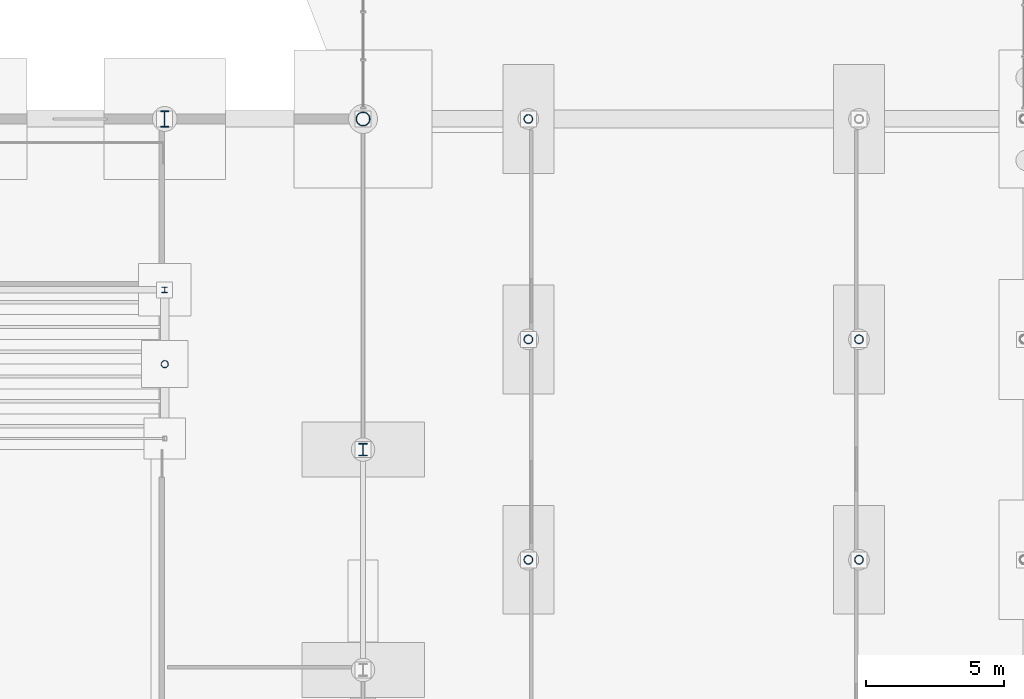
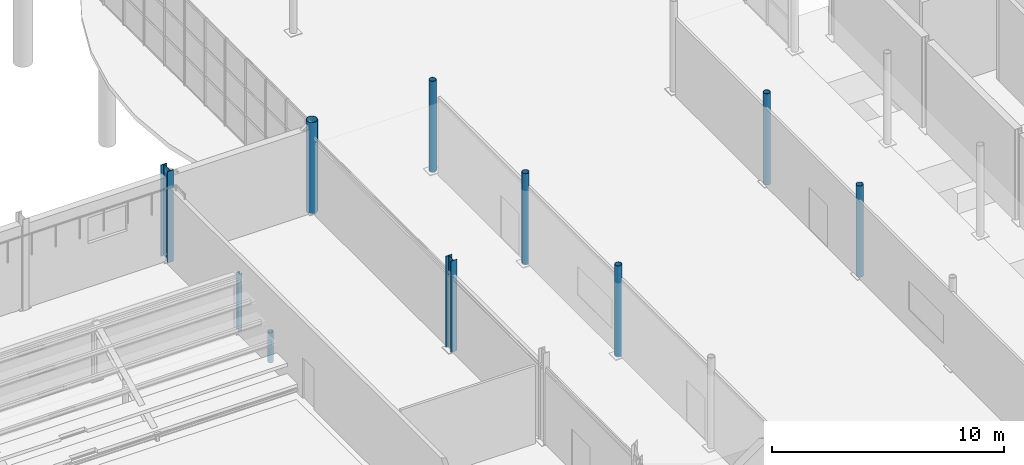
# One storey, part 14 of 101: 10 columns.
"""IFC4 building model written with IfcOpenShell, lengths in metres."""

from ifc_helpers import new_model, si_unit, derived_unit, direction, frame, origin, origin_2d, place, context, subcontext, project, spatial, hollow_circle, i_section, extrude, material, material_profile, profile_set, type_object, element, save


model = new_model("IFC4")

# Units and contexts
model_context = context("Model", 3, precision=1e-05, world=origin(), true_north=direction((0.0, 1.0)))
body_context = subcontext(model_context, "Body", "Model", "MODEL_VIEW")
ifc_project = project(units=[si_unit("LENGTHUNIT", "METRE"), si_unit("AREAUNIT", "SQUARE_METRE"), si_unit("VOLUMEUNIT", "CUBIC_METRE"), si_unit("PLANEANGLEUNIT", "RADIAN"), si_unit("MASSUNIT", "GRAM", prefix="KILO"), derived_unit("THERMALTRANSMITTANCEUNIT", [(si_unit("POWERUNIT", "WATT"), 1), (si_unit("LENGTHUNIT", "METRE"), -2), (si_unit("THERMODYNAMICTEMPERATUREUNIT", "KELVIN"), -1)])], contexts=[model_context])

# Site, building, storey
site_placement = place(None, origin())
site = spatial("IfcSite", under=ifc_project, at=site_placement, CompositionType="ELEMENT")
building_placement = place(site_placement, origin())
building = spatial("IfcBuilding", under=site, at=building_placement, Name="Keldorne Ridge Multi-Sports Centre", CompositionType="ELEMENT")
storey_placement = place(building_placement, origin())
storey = spatial("IfcBuildingStorey", under=building, at=storey_placement, Name="L00", CompositionType="ELEMENT", Elevation=0.0)

# Columns
ifc_material = material(Name="Steel S355", Category="steel")
ifc_material_profile_1 = material_profile(ifc_material, i_section(OverallWidth=0.300048828125, OverallDepth=0.60009765625, WebThickness=0.015380859375, FlangeThickness=0.030029296875, FilletRadius=0.027099609375, at=origin_2d()), Name="HEB 600")
ifc_profile_set_1 = profile_set([ifc_material_profile_1], Name="Steel S355")
column_type_1 = type_object("IfcColumnType", Name="COL-C-01", PredefinedType="COLUMN", material=ifc_profile_set_1)
column_1_placement = place(storey_placement, frame((70.800048828125, 54.0, 0.0), z_axis=(0.0, 0.0, 1.0), x_axis=(1.0, 0.0, 0.0)))
element("IfcColumn", 1, at=column_1_placement, inside=storey, type_object=column_type_1, Name="Structural column V1-HALL-N-10 on L00", PredefinedType="COLUMN", context=body_context, shape_type="SweptSolid", body=[
    extrude(i_section(OverallWidth=0.300048828125, OverallDepth=0.60009765625, WebThickness=0.015380859375, FlangeThickness=0.030029296875, FilletRadius=0.027099609375, at=origin_2d()), origin(), (0.0, 0.0, 1.0), 4.800048828125),
])
ifc_material_profile_2 = material_profile(ifc_material, hollow_circle(Radius=0.25390625, WallThickness=0.02001953125, at=origin_2d()), Name="CHS 508x20")
ifc_profile_set_2 = profile_set([ifc_material_profile_2], Name="Steel S355")
column_type_2 = type_object("IfcColumnType", Name="COL-C-02", PredefinedType="COLUMN", material=ifc_profile_set_2)
column_2_placement = place(storey_placement, frame((78.0, 54.0, 0.0), z_axis=(0.0, 0.0, 1.0), x_axis=(1.0, 0.0, 0.0)))
element("IfcColumn", 2, at=column_2_placement, inside=storey, type_object=column_type_2, Name="Structural column V1-HALL-N-11 on L00", PredefinedType="COLUMN", context=body_context, shape_type="SweptSolid", body=[
    extrude(hollow_circle(Radius=0.25390625, WallThickness=0.02001953125, at=origin_2d()), origin(), (0.0, 0.0, 1.0), 4.800048828125),
])
ifc_material_profile_3 = material_profile(ifc_material, i_section(OverallWidth=0.300048828125, OverallDepth=0.449951171875, WebThickness=0.013916015625, FlangeThickness=0.02587890625, FilletRadius=0.027099609375, at=origin_2d()), Name="HEB 450")
ifc_profile_set_3 = profile_set([ifc_material_profile_3], Name="Steel S355")
column_type_3 = type_object("IfcColumnType", Name="COL-C-06", PredefinedType="COLUMN", material=ifc_profile_set_3)
column_3_placement = place(storey_placement, frame((78.0, 42.0, 0.0), z_axis=(0.0, 0.0, 1.0), x_axis=(1.0, 0.0, 0.0)))
element("IfcColumn", 3, at=column_3_placement, inside=storey, type_object=column_type_3, Name="Structural column V1-GABLE-E-04 on L00", PredefinedType="COLUMN", context=body_context, shape_type="SweptSolid", body=[
    extrude(i_section(OverallWidth=0.300048828125, OverallDepth=0.449951171875, WebThickness=0.013916015625, FlangeThickness=0.02587890625, FilletRadius=0.027099609375, at=origin_2d()), origin(), (0.0, 0.0, 1.0), 4.800048828125),
])
ifc_material_profile_4 = material_profile(ifc_material, hollow_circle(Radius=0.161865234375, WallThickness=0.01611328125, at=origin_2d()), Name="CHS 323.9x16")
ifc_profile_set_4 = profile_set([ifc_material_profile_4], Name="Steel S355")
column_type_4 = type_object("IfcColumnType", Name="COL-C-08", PredefinedType="COLUMN", material=ifc_profile_set_4)
for number, where, z_axis, x_axis, name in (
    (4, (84.0, 38.0, 0.0), (0.0, 0.0, 1.0), (1.0, 0.0, 0.0), "Structural column V4-G12-05 on L00"),
    (5, (96.0, 38.0, 0.0), (0.0, 0.0, 1.0), (1.0, 0.0, 0.0), "Structural column V4-G14-05 on L00"),
    (6, (84.0, 46.0, 0.0), (0.0, 0.0, 1.0), (1.0, 0.0, 0.0), "Structural column V4-G12-06 on L00"),
    (7, (96.0, 46.0, 0.0), (0.0, 0.0, 1.0), (1.0, 0.0, 0.0), "Structural column V4-G14-06 on L00"),
    (8, (84.0, 54.0, 0.0), (0.0, 0.0, 1.0), (1.0, 0.0, 0.0), "Structural column V4-G12-07 on L00"),
):
    element("IfcColumn", number, at=place(storey_placement, frame(where, z_axis=z_axis, x_axis=x_axis)), inside=storey, type_object=column_type_4, Name=name, PredefinedType="COLUMN", context=body_context, shape_type="SweptSolid", body=[
        extrude(hollow_circle(Radius=0.161865234375, WallThickness=0.01611328125, at=origin_2d()), origin(), (0.0, 0.0, 1.0), 4.800048828125),
    ])
ifc_material_profile_5 = material_profile(ifc_material, i_section(OverallWidth=0.199951171875, OverallDepth=0.199951171875, WebThickness=0.009033203125, FlangeThickness=0.014892578125, FilletRadius=0.01806640625, at=origin_2d()), Name="HEB 200")
ifc_profile_set_5 = profile_set([ifc_material_profile_5], Name="Steel S355")
column_type_5 = type_object("IfcColumnType", Name="COL-C-31", PredefinedType="COLUMN", material=ifc_profile_set_5)
column_4_placement = place(storey_placement, frame((70.800048828125, 47.800048828125, 0.0), z_axis=(0.0, 0.0, 1.0), x_axis=(1.0, 0.0, 0.0)))
element("IfcColumn", 9, at=column_4_placement, inside=storey, type_object=column_type_5, Name="Structural column V1-STDCOL-NORTH-08 on L00", PredefinedType="COLUMN", context=body_context, shape_type="SweptSolid", body=[
    extrude(i_section(OverallWidth=0.199951171875, OverallDepth=0.199951171875, WebThickness=0.009033203125, FlangeThickness=0.014892578125, FilletRadius=0.01806640625, at=origin_2d()), origin(), (0.0, 0.0, 1.0), 3.02001953125),
])
ifc_material_profile_6 = material_profile(ifc_material, hollow_circle(Radius=0.133544921875, WallThickness=0.012451171875, at=origin_2d()), Name="CHS 267x12.5")
ifc_profile_set_6 = profile_set([ifc_material_profile_6], Name="Steel S355")
column_type_6 = type_object("IfcColumnType", Name="COL-C-41", PredefinedType="COLUMN", material=ifc_profile_set_6)
column_5_placement = place(storey_placement, frame((70.800048828125, 45.10009765625, 0.0), z_axis=(0.0, 0.0, 1.0), x_axis=(1.0, 0.0, 0.0)))
element("IfcColumn", 10, at=column_5_placement, inside=storey, type_object=column_type_6, Name="Structural column V1-STDMID-NORTH-08 on L00", PredefinedType="COLUMN", context=body_context, shape_type="SweptSolid", body=[
    extrude(hollow_circle(Radius=0.133544921875, WallThickness=0.012451171875, at=origin_2d()), origin(), (0.0, 0.0, 1.0), 1.580078125),
])

save(model, "model.ifc")
